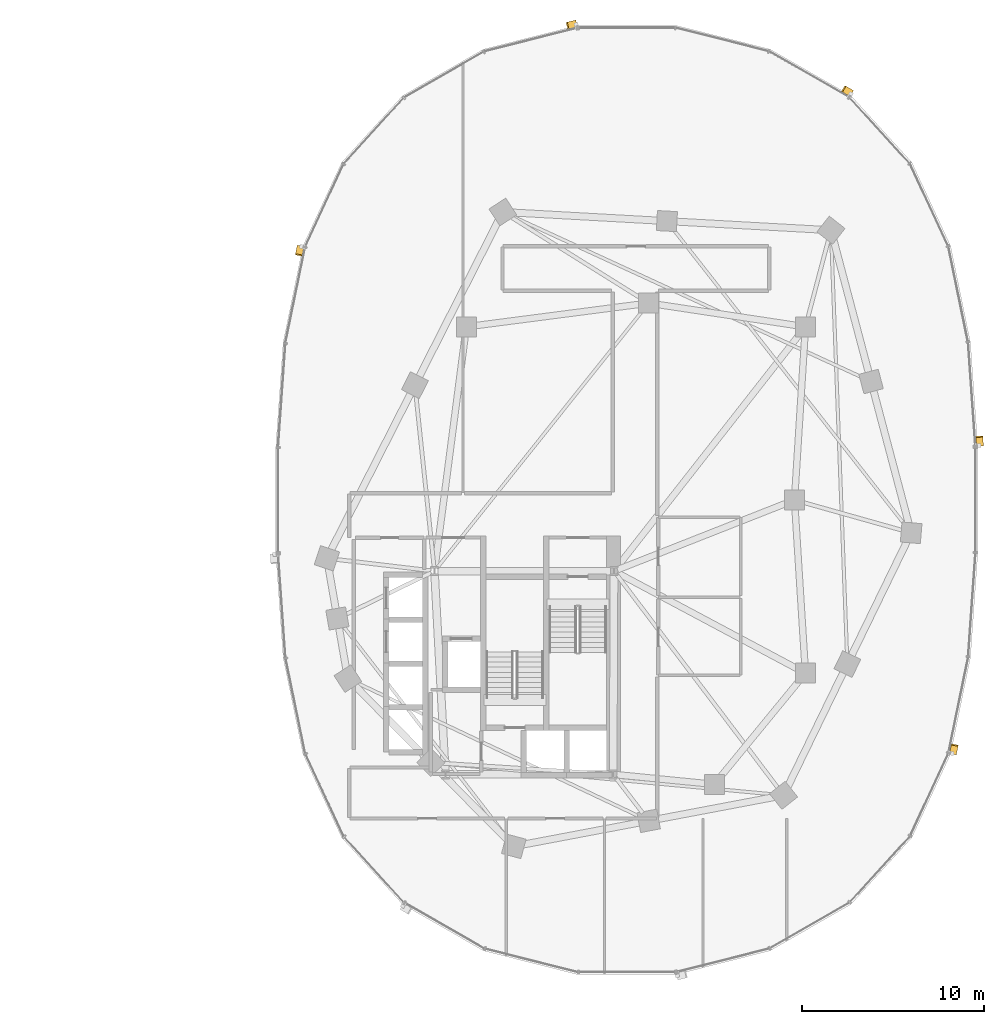
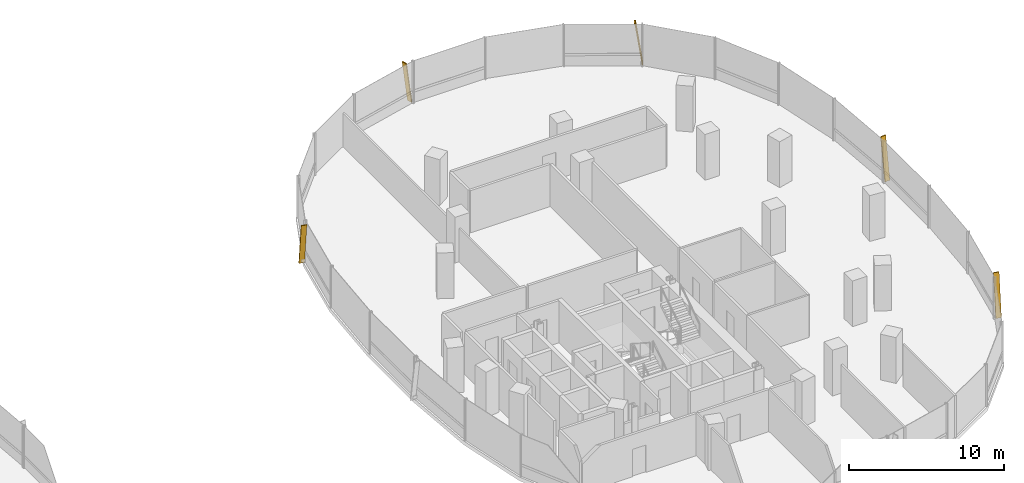
# One storey, part 20 of 20: 5 shading devices.
"""IFC4 building model written with IfcOpenShell, lengths in metres."""

from ifc_helpers import new_model, si_unit, direction, frame, origin, origin_2d, place, context, subcontext, project, spatial, rectangle, extrude, material, material_profile, profile_set, type_object, element, save


model = new_model("IFC4")

# Units and contexts
model_context = context("Model", 3, precision=1e-05, world=origin(), true_north=direction((0.0, 1.0)))
body_context = subcontext(model_context, "Body", "Model", "MODEL_VIEW")
ifc_project = project(units=[si_unit("LENGTHUNIT", "METRE"), si_unit("AREAUNIT", "SQUARE_METRE"), si_unit("VOLUMEUNIT", "CUBIC_METRE"), si_unit("PLANEANGLEUNIT", "RADIAN"), si_unit("MASSUNIT", "GRAM", prefix="KILO"), si_unit("THERMODYNAMICTEMPERATUREUNIT", "KELVIN"), si_unit("POWERUNIT", "WATT")], contexts=[model_context])

# Site, building, storey
site_placement = place(None, origin())
site = spatial("IfcSite", under=ifc_project, at=site_placement, CompositionType="ELEMENT")
building_placement = place(site_placement, origin())
building = spatial("IfcBuilding", under=site, at=building_placement, Name="Cundina Bronze Exchange", CompositionType="ELEMENT")
storey_placement = place(building_placement, frame((0.0, 0.0, 128.60009765625)))
storey = spatial("IfcBuildingStorey", under=building, at=storey_placement, Name="L33", CompositionType="ELEMENT", Elevation=128.60009765625)

# Shading devices
ifc_material = material(Name="Anodised Bronze Aluminium 6063-T6", Category="aluminium")
ifc_material_profile = material_profile(ifc_material, rectangle(XDim=0.070068359375, YDim=0.3798828125, at=origin_2d()), Name="FIN70X380", Category="aluminium")
ifc_profile_set = profile_set([ifc_material_profile], Name="Anodised Bronze Aluminium 6063-T6")
shading_device_type = type_object("IfcShadingDeviceType", Name="SHD-FIN-BRZ380", PredefinedType="USERDEFINED", material=ifc_profile_set)
for number, where, z_axis, x_axis, name in (
    (1, (51.3740234375, 2.993896484375, 0.02001953125), (-0.010164193442, 0.144434661884, 0.989462135515), (0.069458909021, -0.987021163692, 0.144791858824), "L33 Diagonal Bronze Solar Fin 1"),
    (2, (44.314208984375, 22.314208984375, 0.02001953125), (-0.125579039611, 0.072106674357, 0.989459717383), (0.858067736109, -0.492696958153, 0.144808382618), "L33 Diagonal Bronze Solar Fin 5"),
    (3, (29.212646484375, 26.138427734375, 0.02001953125), (-0.140383488658, -0.035500966177, 0.989460538633), (0.959262874254, 0.242583790866, 0.144802770993), "L33 Diagonal Bronze Solar Fin 1"),
    (4, (14.10400390625, 13.911865234375, 0.02001953125), (-0.029240269674, -0.14185581711, 0.989455372304), (0.199753712029, 0.969082240221, 0.144838068955), "L33 Diagonal Bronze Solar Fin 5"),
    (5, (49.89599609375, -13.911865234375, 0.02001953125), (0.029240269674, 0.14185581711, 0.989455372304), (-0.199753712029, -0.969082240221, 0.144838068955), "L33 Diagonal Bronze Solar Fin 5"),
):
    element("IfcShadingDevice", number, at=place(storey_placement, frame(where, z_axis=z_axis, x_axis=x_axis)), inside=storey, type_object=shading_device_type, Name=name, ObjectType="FIN", PredefinedType="USERDEFINED", context=body_context, shape_type="SweptSolid", body=[
        extrude(rectangle(XDim=0.070068359375, YDim=0.3798828125, at=origin_2d()), origin(), (0.0, 0.0, 1.0), 3.314697265625),
    ])

save(model, "model.ifc")
